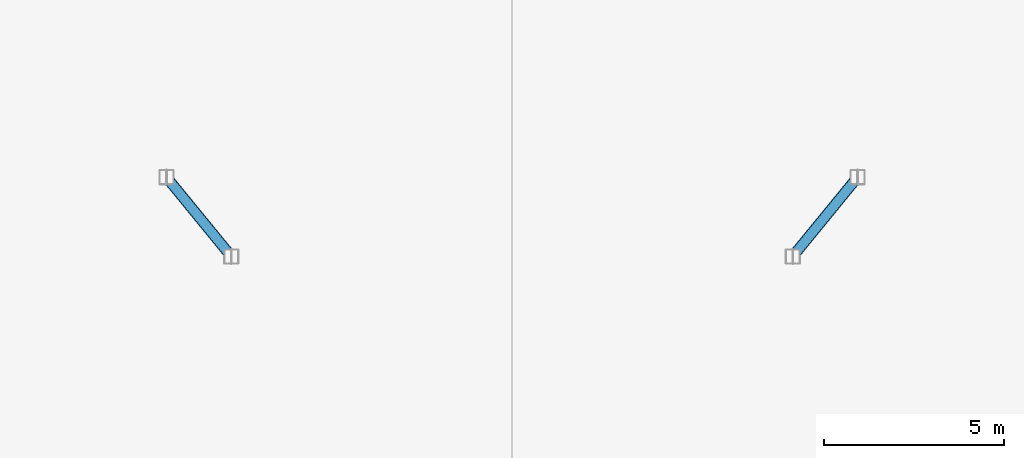
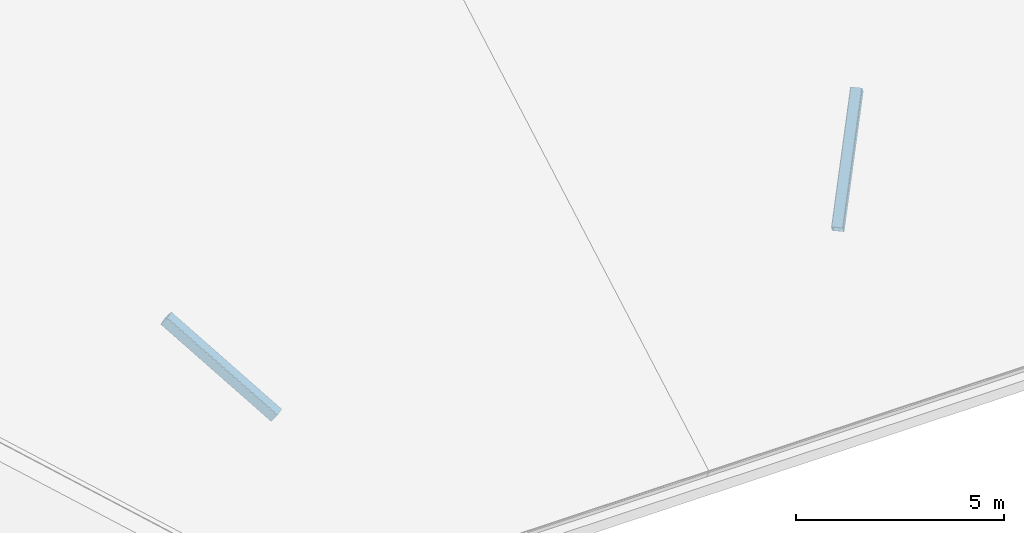
# One storey, part 3 of 11: 2 members.
"""IFC4 building model written with IfcOpenShell, lengths in metres."""

import ifcopenshell
import ifcopenshell.guid

model = None  # the IFC model being written
_history = None  # IfcOwnerHistory: only IFC2X3 demands one
_inside = {}  # id of a spatial element -> (the spatial element, [elements in it])
_under = {}  # id of a project, library or spatial element -> (it, [spatial elements below it])
_declared = {}  # id of a project -> (the project, [libraries it declares])
_typed = {}  # id of a type object -> (the type object, [elements of that type])
_made_of = {}  # id of a material, layer set ... -> (it, [elements and type objects made of it])


def new_model(schema):
    """Start an empty IFC model of exactly this schema.

    Asked for "IFC4X3", IfcOpenShell would pick the latest addendum, in which some entities
    have other attributes; the version numbers below select the first issue.
    IFC2X3 requires an IfcOwnerHistory on every rooted entity: one is made here for all.
    """
    global model, _history
    if schema == "IFC4X3":
        model = ifcopenshell.file(schema_version=(4, 3, 0, 0))
    else:
        model = ifcopenshell.file(schema=schema)
    _inside.clear()
    _under.clear()
    _declared.clear()
    _typed.clear()
    _made_of.clear()
    _history = None
    if model.schema == "IFC2X3":
        org = make("IfcOrganization", Name="unknown")
        user = make(
            "IfcPersonAndOrganization",
            ThePerson=make("IfcPerson", FamilyName="unknown"),
            TheOrganization=org,
        )
        app = make(
            "IfcApplication",
            ApplicationDeveloper=org,
            Version="unknown",
            ApplicationFullName="unknown",
            ApplicationIdentifier="unknown",
        )
        _history = make(
            "IfcOwnerHistory",
            OwningUser=user,
            OwningApplication=app,
            ChangeAction="ADDED",
            CreationDate=0,
        )
    return model


def make(cls, **values):
    """One entity of the class cls with the attributes given. An attribute that is None is left unset."""
    return model.create_entity(
        cls, **{name: value for name, value in values.items() if value is not None}
    )


def rooted(cls, **values):
    """An entity with a GlobalId (a new one), such as an element, a storey or a relation."""
    return make(cls, GlobalId=ifcopenshell.guid.new(), OwnerHistory=_history, **values)


def si_unit(unit_type, name, prefix=None):
    """IfcSIUnit, for example si_unit("LENGTHUNIT", "METRE", prefix="MILLI")."""
    return make("IfcSIUnit", UnitType=unit_type, Prefix=prefix, Name=name)


def assignment(units):
    """IfcUnitAssignment: the units of a project."""
    return None if units is None else make("IfcUnitAssignment", Units=units)


def point(xyz):
    """IfcCartesianPoint."""
    return None if xyz is None else make("IfcCartesianPoint", Coordinates=xyz)


def direction(xyz):
    """IfcDirection."""
    return None if xyz is None else make("IfcDirection", DirectionRatios=xyz)


def frame(location, z_axis=None, x_axis=None):
    """IfcAxis2Placement3D, a coordinate frame: its origin and axes. An axis left out is left unset."""
    return make(
        "IfcAxis2Placement3D",
        Location=point(location),
        Axis=direction(z_axis),
        RefDirection=direction(x_axis),
    )


def frame_2d(location, x_axis=None):
    """IfcAxis2Placement2D, a coordinate frame in the plane: its origin and x axis."""
    return make(
        "IfcAxis2Placement2D", Location=point(location), RefDirection=direction(x_axis)
    )


def origin():
    """The frame at (0, 0, 0) with its axes left unset."""
    return frame((0.0, 0.0, 0.0))


def origin_2d():
    """The frame at (0, 0) in the plane with its x axis left unset."""
    return frame_2d((0.0, 0.0))


def place(relative_to, where):
    """IfcLocalPlacement: puts the frame where relative to a parent placement (None: the world)."""
    return make(
        "IfcLocalPlacement", PlacementRelTo=relative_to, RelativePlacement=where
    )


def context(
    kind, dimensions, precision=None, world=None, true_north=None, identifier=None
):
    """IfcGeometricRepresentationContext, for example the 3D "Model" context."""
    return make(
        "IfcGeometricRepresentationContext",
        ContextIdentifier=identifier,
        ContextType=kind,
        CoordinateSpaceDimension=dimensions,
        Precision=precision,
        WorldCoordinateSystem=world,
        TrueNorth=true_north,
    )


def subcontext(parent, identifier, kind, view, scale=None):
    """IfcGeometricRepresentationSubContext, for example "Body" below "Model"."""
    return make(
        "IfcGeometricRepresentationSubContext",
        ContextIdentifier=identifier,
        ContextType=kind,
        ParentContext=parent,
        TargetScale=scale,
        TargetView=view,
    )


def project(units=None, contexts=None):
    """IfcProject with its units and contexts."""
    return rooted(
        "IfcProject",
        Name="project",
        RepresentationContexts=contexts,
        UnitsInContext=assignment(units),
    )


def spatial(cls, under=None, at=None, **own):
    """A site, building, storey or space (cls), placed at a placement, below another one or the project."""
    s = rooted(cls, ObjectPlacement=at, **own)
    if under is not None:
        _under.setdefault(under.id(), (under, []))[1].append(s)
    return s


def profile(cls, at=None, kind="AREA", **sizes):
    """A parametric profile (cls). Its sizes go by their IFC names, for example OverallWidth=200.0."""
    return make(cls, ProfileType=kind, Position=at, **sizes)


def hollow_rectangle(**sizes):
    """IfcRectangleHollowProfileDef."""
    return profile("IfcRectangleHollowProfileDef", **sizes)


def extrude(swept, where, along, depth):
    """IfcExtrudedAreaSolid: the profile swept, set in the frame where, extruded along a direction by depth."""
    return make(
        "IfcExtrudedAreaSolid",
        SweptArea=swept,
        Position=where,
        ExtrudedDirection=direction(along),
        Depth=depth,
    )


def shape(context_of_items, identifier, shape_type, items):
    """IfcShapeRepresentation: the items that make up one representation, for example the "Body"."""
    return make(
        "IfcShapeRepresentation",
        ContextOfItems=context_of_items,
        RepresentationIdentifier=identifier,
        RepresentationType=shape_type,
        Items=items,
    )


def material(Name=None, Category=None):
    """IfcMaterial."""
    return make("IfcMaterial", Name=Name, Category=Category)


def material_profile(
    of_material, cross_section, Name=None, Category=None, Priority=None
):
    """IfcMaterialProfile: a cross section and its material."""
    return make(
        "IfcMaterialProfile",
        Name=Name,
        Material=of_material,
        Profile=cross_section,
        Priority=Priority,
        Category=Category,
    )


def profile_set(profiles, Name=None, composite=None):
    """IfcMaterialProfileSet."""
    return make(
        "IfcMaterialProfileSet",
        Name=Name,
        MaterialProfiles=profiles,
        CompositeProfile=composite,
    )


def made_of(thing, what):
    """Note that an element or type object is made of a material, layer set ...; save() writes the relation."""
    if what is not None:
        _made_of.setdefault(what.id(), (what, []))[1].append(thing)
    return thing


def type_object(cls, material=None, **own):
    """A type object (cls), such as IfcWallType, which elements share."""
    return made_of(rooted(cls, **own), material)


def element(
    cls,
    number,
    at=None,
    inside=None,
    cuts=None,
    type_object=None,
    material=None,
    context=None,
    identifier="Body",
    shape_type=None,
    held_by="IfcProductDefinitionShape",
    body=None,
    shapes=None,
    **own,
):
    """One element of the class cls, such as IfcWall. Its Tag is "e" and its number.

    at: its placement. inside: the storey or other place that contains it. cuts: it is an
    opening in that element (IfcRelVoidsElement). A single representation is given by context,
    identifier, shape_type and body (its items); several are given by shapes. held_by: the class
    of the entity that holds the representations. save() writes the other relations.
    """
    e = rooted(cls, Tag="e%d" % number, ObjectPlacement=at, **own)
    if body is not None:
        shapes = [shape(context, identifier, shape_type, body)]
    if shapes is not None:
        e.Representation = make(held_by, Representations=shapes)
    if inside is not None:
        _inside.setdefault(inside.id(), (inside, []))[1].append(e)
    if cuts is not None:
        rooted(
            "IfcRelVoidsElement", RelatingBuildingElement=cuts, RelatedOpeningElement=e
        )
    if type_object is not None:
        _typed.setdefault(type_object.id(), (type_object, []))[1].append(e)
    return made_of(e, material)


def aggregate(whole, parts):
    """IfcRelAggregates: a whole, such as a stair, and the parts it consists of."""
    return rooted("IfcRelAggregates", RelatingObject=whole, RelatedObjects=parts)


def save(model, path):
    """Write the relations noted so far, then the file.

    IfcRelAggregates (storeys below a building ...), IfcRelContainedInSpatialStructure (elements
    in a storey), IfcRelDefinesByType, IfcRelAssociatesMaterial and IfcRelDeclares: one each for
    every whole, place, type object, material and project.
    """
    for whole, parts in _under.values():
        aggregate(whole, parts)
    for where, things in _inside.values():
        rooted(
            "IfcRelContainedInSpatialStructure",
            RelatedElements=things,
            RelatingStructure=where,
        )
    for kind, things in _typed.values():
        rooted("IfcRelDefinesByType", RelatedObjects=things, RelatingType=kind)
    for what, things in _made_of.values():
        rooted("IfcRelAssociatesMaterial", RelatedObjects=things, RelatingMaterial=what)
    for by, libraries in _declared.values():
        rooted("IfcRelDeclares", RelatingContext=by, RelatedDefinitions=libraries)
    model.write(path)


model = new_model("IFC4")

# Units and contexts
model_context = context("Model", 3, precision=1e-05, world=origin(), true_north=direction((0.0, 1.0)))
body_context = subcontext(model_context, "Body", "Model", "MODEL_VIEW")
ifc_project = project(units=[si_unit("LENGTHUNIT", "METRE"), si_unit("AREAUNIT", "SQUARE_METRE"), si_unit("VOLUMEUNIT", "CUBIC_METRE"), si_unit("PLANEANGLEUNIT", "RADIAN"), si_unit("MASSUNIT", "GRAM", prefix="KILO")], contexts=[model_context])

# Site, building, storey
site_placement = place(None, origin())
site = spatial("IfcSite", under=ifc_project, at=site_placement, CompositionType="ELEMENT")
building_placement = place(site_placement, origin())
building = spatial("IfcBuilding", under=site, at=building_placement, Name="Tarnavaz Court Tower", CompositionType="ELEMENT")
storey_placement = place(building_placement, frame((0.0, 0.0, 304.050048828125)))
storey = spatial("IfcBuildingStorey", under=building, at=storey_placement, Name="C06", CompositionType="ELEMENT", Elevation=304.050048828125)

# Members
ifc_material = material(Name="Steel S355", Category="steel")
ifc_material_profile = material_profile(ifc_material, hollow_rectangle(XDim=0.300048828125, YDim=0.300048828125, WallThickness=0.01611328125, InnerFilletRadius=0.01611328125, OuterFilletRadius=0.031982421875, at=origin_2d()), Name="SHS 300X300X16")
ifc_profile_set = profile_set([ifc_material_profile], Name="Steel S355")
member_type = type_object("IfcMemberType", Name="MB-CR-SHS200", PredefinedType="USERDEFINED", material=ifc_profile_set)
for number, where, z_axis, x_axis, name in (
    (1, (-7.800048828125, 7.800048828125, 0.349853515625), (-0.505044427904, 0.617246078916, 0.603272246922), (-0.773941992102, -0.633256498476, 0.0), "C06 Crown Frame W Core Brace Strut"),
    (2, (7.800048828125, 7.800048828125, 0.349853515625), (0.505044427904, 0.617246078916, 0.603272246922), (-0.773941992102, 0.633256498476, 0.0), "C06 Crown Frame E Core Brace Strut"),
):
    element("IfcMember", number, at=place(storey_placement, frame(where, z_axis=z_axis, x_axis=x_axis)), inside=storey, type_object=member_type, Name=name, ObjectType="CROWN FRAME", PredefinedType="USERDEFINED", context=body_context, shape_type="SweptSolid", body=[
        extrude(hollow_rectangle(XDim=0.300048828125, YDim=0.300048828125, WallThickness=0.01611328125, InnerFilletRadius=0.01611328125, OuterFilletRadius=0.031982421875, at=origin_2d()), origin(), (0.0, 0.0, 1.0), 3.564208984375),
    ])

save(model, "model.ifc")
